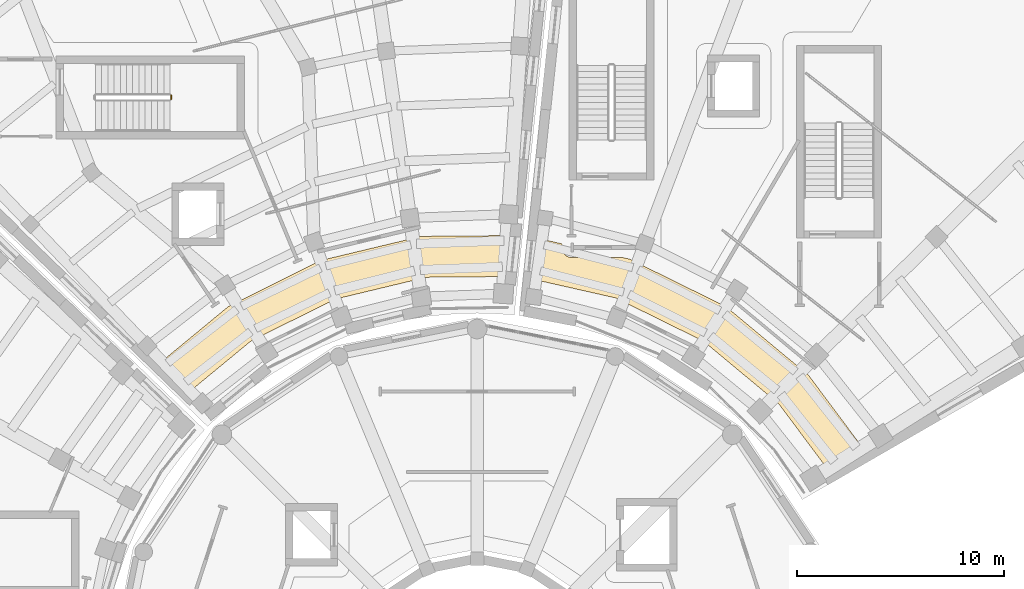
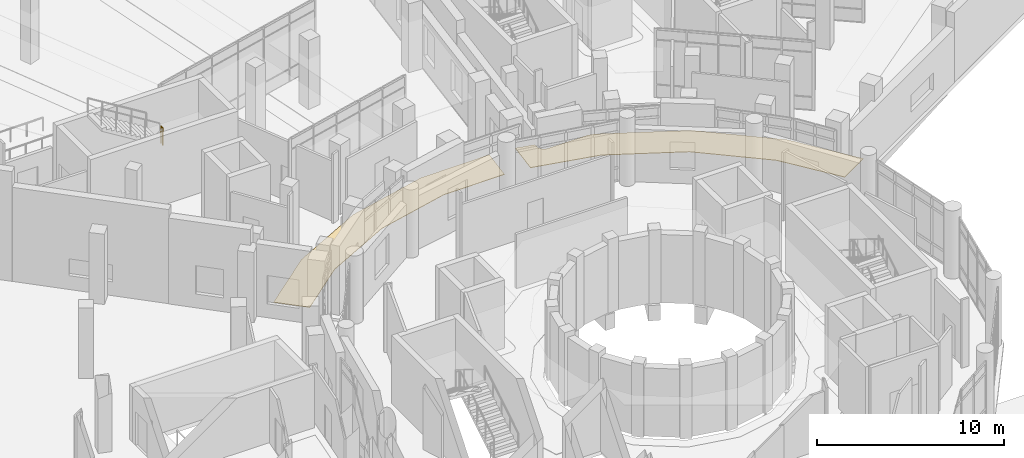
# One storey, part 68 of 75: 2 coverings, 1 railing.
"""IFC4 building model written with IfcOpenShell, lengths in metres."""

from ifc_helpers import new_model, si_unit, direction, frame, origin, origin_2d, place, context, subcontext, project, spatial, polyline, circle, outline, extrude, material, layer, layer_set, type_object, element, save


model = new_model("IFC4")

# Units and contexts
model_context = context("Model", 3, precision=1e-05, world=origin(), true_north=direction((0.0, 1.0)))
body_context = subcontext(model_context, "Body", "Model", "MODEL_VIEW")
ifc_project = project(units=[si_unit("LENGTHUNIT", "METRE"), si_unit("AREAUNIT", "SQUARE_METRE"), si_unit("VOLUMEUNIT", "CUBIC_METRE"), si_unit("PLANEANGLEUNIT", "RADIAN"), si_unit("MASSUNIT", "GRAM", prefix="KILO")], contexts=[model_context])

# Site, building, storey
site_placement = place(None, origin())
site = spatial("IfcSite", under=ifc_project, at=site_placement, CompositionType="ELEMENT")
building_placement = place(site_placement, origin())
building = spatial("IfcBuilding", under=site, at=building_placement, Name="Soyqirgoq Riverine Aquarium", CompositionType="ELEMENT")
storey_placement = place(building_placement, frame((0.0, 0.0, 10.199951171875)))
storey = spatial("IfcBuildingStorey", under=building, at=storey_placement, Name="L03", CompositionType="ELEMENT", Elevation=10.199951171875)

# Railing
ifc_material_1 = material(Name="Painted steel infill stair-well guardrail", Category="steel")
railing_type = type_object("IfcRailingType", Name="StairWellGuard_1120", PredefinedType="GUARDRAIL", material=ifc_material_1)
railing_placement = place(storey_placement, frame((41.199951171875, 85.550048828125, 2.400146484375)))
element("IfcRailing", 1, at=railing_placement, inside=storey, type_object=railing_type, Name="L03 ST-4 stair guard 2", PredefinedType="GUARDRAIL", context=body_context, shape_type="SweptSolid", body=[
    extrude(circle(Radius=0.02392578125, at=origin_2d()), frame((0.0, 0.0, 1.09619140625), z_axis=(0.0, 1.0, 0.0), x_axis=(-1.0, 0.0, 0.0)), (0.0, 0.0, 1.0), 0.199951171875),
    extrude(circle(Radius=0.02099609375, at=origin_2d()), origin(), (0.0, 0.0, 1.0), 1.072021484375),
    extrude(circle(Radius=0.02099609375, at=origin_2d()), frame((0.0, 0.199951171875, 0.0)), (0.0, 0.0, 1.0), 1.072021484375),
])

# Coverings
ifc_material_2 = material(Name="Polished Chirchiq river-pebble terrazzo flooring", Category="concrete")
ifc_layer = layer(ifc_material_2, 0.030029296875)
ifc_layer_set = layer_set([ifc_layer], Name="Polished Chirchiq river-pebble terrazzo flooring")
covering_type = type_object("IfcCoveringType", Name="TerrazzoFloorFinish_30", PredefinedType="FLOORING", material=ifc_layer_set)
covering_1_placement = place(storey_placement, origin())
element("IfcCovering", 2, at=covering_1_placement, inside=storey, type_object=covering_type, Name="V4 Gallery Circulation Corridor Floor Finish", PredefinedType="FLOORING", context=body_context, shape_type="SweptSolid", body=[
    extrude(outline(polyline([(57.3359375, 76.986083984375), (53.60107421875, 76.952880859375), (53.550048828125, 76.949951171875), (53.5, 76.94091796875), (49.174072265625, 75.903076171875), (49.125, 75.887939453125), (49.0791015625, 75.867919921875), (45.096923828125, 73.883056640625), (45.052978515625, 73.85693359375), (45.011962890625, 73.826904296875), (42.12890625, 71.450927734375), (40.695068359375, 72.8359375), (43.965087890625, 75.531982421875), (48.44189453125, 77.764892578125), (53.306884765625, 78.931884765625), (57.544921875, 78.968994140625), (57.3359375, 76.986083984375)])), origin(), (0.0, 0.0, 1.0), 0.030029296875),
])
covering_2_placement = place(storey_placement, origin())
element("IfcCovering", 3, at=covering_2_placement, inside=storey, type_object=covering_type, Name="V5 Gallery Circulation Corridor Floor Finish", PredefinedType="FLOORING", context=body_context, shape_type="SweptSolid", body=[
    extrude(outline(polyline([(59.055908203125, 78.806884765625), (60.110107421875, 78.568115234375), (60.110107421875, 78.360107421875), (60.112060546875, 78.31591796875), (60.118896484375, 78.27197265625), (60.12890625, 78.22900390625), (60.14404296875, 78.18798828125), (60.1630859375, 78.14794921875), (60.18603515625, 78.110107421875), (60.2119140625, 78.074951171875), (60.241943359375, 78.0419921875), (60.27490234375, 78.011962890625), (60.31005859375, 77.986083984375), (60.347900390625, 77.962890625), (60.387939453125, 77.944091796875), (60.428955078125, 77.928955078125), (60.471923828125, 77.9189453125), (60.51611328125, 77.912109375), (60.56005859375, 77.909912109375), (63.02001953125, 77.909912109375), (63.3759765625, 77.8291015625), (68.034912109375, 75.531982421875), (72.029052734375, 72.2099609375), (74.678955078125, 68.662109375), (72.951904296875, 67.6650390625), (70.614013671875, 70.794921875), (70.580078125, 70.8359375), (70.541015625, 70.8720703125), (66.989990234375, 73.825927734375), (66.947021484375, 73.85693359375), (66.90087890625, 73.883056640625), (62.758056640625, 75.926025390625), (62.7099609375, 75.947021484375), (62.658935546875, 75.9619140625), (58.847900390625, 76.823974609375), (59.055908203125, 78.806884765625)])), origin(), (0.0, 0.0, 1.0), 0.030029296875),
])

save(model, "model.ifc")
